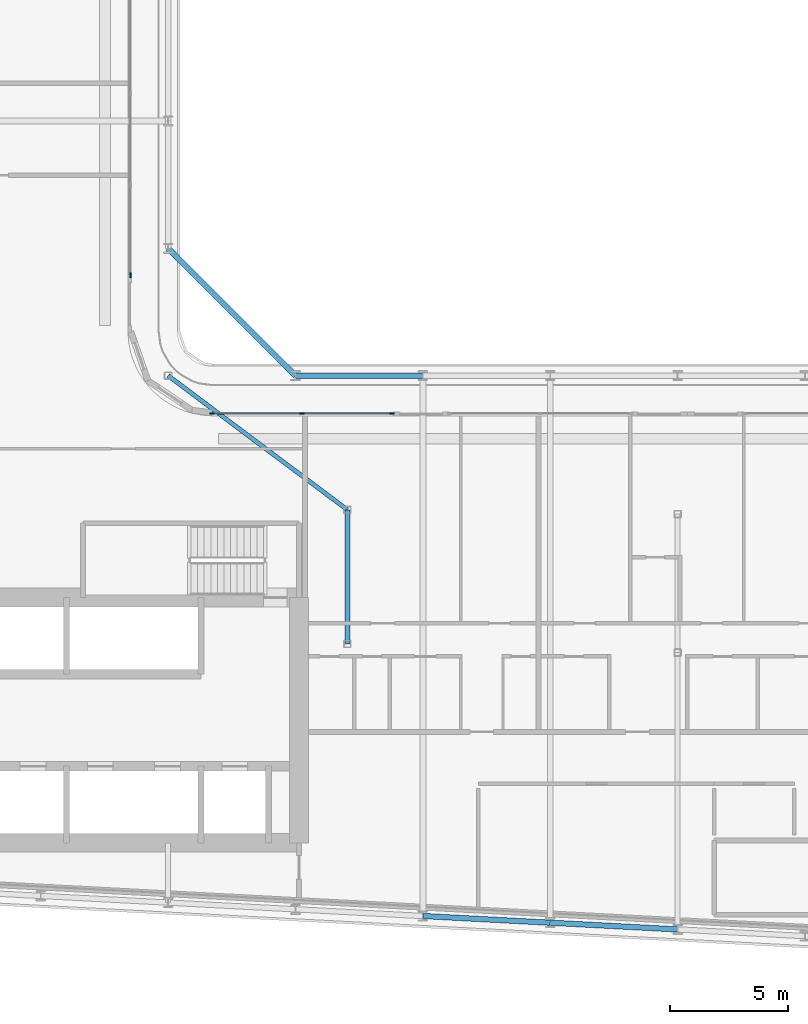
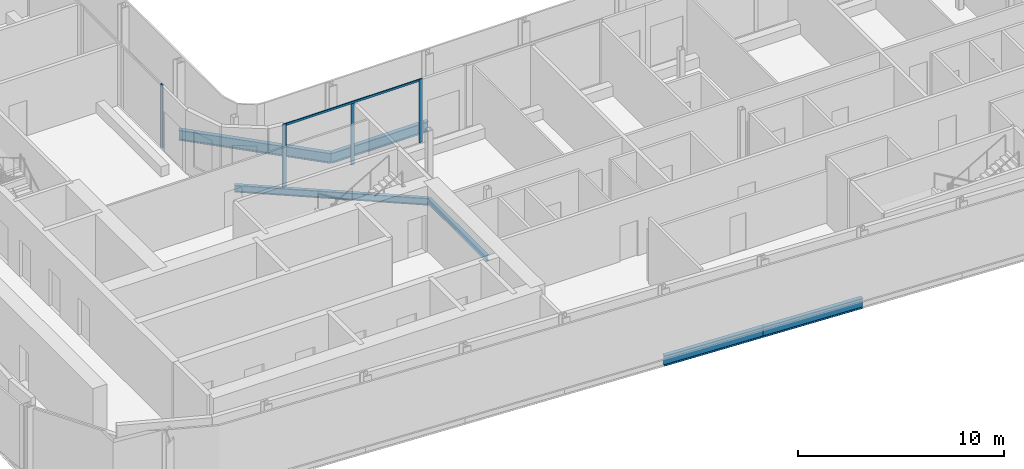
# One storey, part 6 of 29: 6 beams, 5 members, 2 elements without a shape of their own.
"""IFC4 building model written with IfcOpenShell, lengths in metres."""

from ifc_helpers import new_model, si_unit, direction, frame, origin, origin_2d, place, context, subcontext, project, spatial, rectangle, i_section, extrude, material, layer, layer_set, material_profile, profile_set, type_object, element, aggregate, save


model = new_model("IFC4")

# Units and contexts
model_context = context("Model", 3, precision=1e-05, world=origin(), true_north=direction((0.0, 1.0)))
body_context = subcontext(model_context, "Body", "Model", "MODEL_VIEW")
ifc_project = project(units=[si_unit("LENGTHUNIT", "METRE"), si_unit("AREAUNIT", "SQUARE_METRE"), si_unit("VOLUMEUNIT", "CUBIC_METRE"), si_unit("PLANEANGLEUNIT", "RADIAN"), si_unit("MASSUNIT", "GRAM", prefix="KILO")], contexts=[model_context])

# Site, building, storey
site_placement = place(None, origin())
site = spatial("IfcSite", under=ifc_project, at=site_placement, CompositionType="ELEMENT")
building_placement = place(site_placement, origin())
building = spatial("IfcBuilding", under=site, at=building_placement, Name="Kheshtan School and Residences Tower", CompositionType="ELEMENT")
storey_placement = place(building_placement, frame((0.0, 0.0, 176.0)))
storey = spatial("IfcBuildingStorey", under=building, at=storey_placement, Name="L41", CompositionType="ELEMENT", Elevation=176.0)

# Beams
ifc_material_1 = material(Name="Steel ASTM A992 Grade 50", Category="steel")
ifc_material_profile_1 = material_profile(ifc_material_1, i_section(OverallWidth=0.202880859375, OverallDepth=0.302978515625, WebThickness=0.007568359375, FlangeThickness=0.01318359375, FilletRadius=0.009033203125, at=origin_2d()), Name="W310x60")
ifc_profile_set_1 = profile_set([ifc_material_profile_1], Name="Steel ASTM A992 Grade 50")
beam_type_1 = type_object("IfcBeamType", Name="Beam FB1 W310x60 ASTM A992 Grade 50", PredefinedType="BEAM", material=ifc_profile_set_1)
beam_1_placement = place(storey_placement, frame((55.199951171875, 34.23193359375, -0.301513671875), z_axis=(0.0, 1.0, 0.0), x_axis=(-1.0, 0.0, 0.0)))
element("IfcBeam", 1, at=beam_1_placement, inside=storey, type_object=beam_type_1, Name="Floor beam IC", PredefinedType="BEAM", context=body_context, shape_type="SweptSolid", body=[
    extrude(i_section(OverallWidth=0.202880859375, OverallDepth=0.302978515625, WebThickness=0.007568359375, FlangeThickness=0.01318359375, FilletRadius=0.009033203125, at=origin_2d()), origin(), (0.0, 0.0, 1.0), 5.68408203125),
])
ifc_material_profile_2 = material_profile(ifc_material_1, i_section(OverallWidth=0.180908203125, OverallDepth=0.4169921875, WebThickness=0.010986328125, FlangeThickness=0.018310546875, FilletRadius=0.012451171875, at=origin_2d()), Name="W410x85")
ifc_profile_set_2 = profile_set([ifc_material_profile_2], Name="Steel ASTM A992 Grade 50")
beam_type_2 = type_object("IfcBeamType", Name="Beam FB3 W410x85 ASTM A992 Grade 50", PredefinedType="BEAM", material=ifc_profile_set_2)
beam_2_placement = place(storey_placement, frame((47.60009765625, 45.60009765625, -0.3583984375), z_axis=(0.800798828004, -0.598933416222, 0.0), x_axis=(0.598933416222, 0.800798828004, 0.0)))
element("IfcBeam", 2, at=beam_2_placement, inside=storey, type_object=beam_type_2, Name="Floor beam IC", PredefinedType="BEAM", context=body_context, shape_type="SweptSolid", body=[
    extrude(i_section(OverallWidth=0.180908203125, OverallDepth=0.4169921875, WebThickness=0.010986328125, FlangeThickness=0.018310546875, FilletRadius=0.012451171875, at=origin_2d()), origin(), (0.0, 0.0, 1.0), 9.490234375),
])
ifc_material_profile_3 = material_profile(ifc_material_1, i_section(OverallWidth=0.22802734375, OverallDepth=0.60302734375, WebThickness=0.010498046875, FlangeThickness=0.014892578125, FilletRadius=0.013427734375, at=origin_2d()), Name="W610x101")
ifc_profile_set_3 = profile_set([ifc_material_profile_3], Name="Steel ASTM A992 Grade 50")
beam_type_3 = type_object("IfcBeamType", Name="Beam SP2 W610x101 ASTM A992 Grade 50", PredefinedType="BEAM", material=ifc_profile_set_3)
beam_3_placement = place(storey_placement, frame((47.60009765625, 51.0, -0.451416015625), z_axis=(0.707106781187, -0.707106781187, 0.0), x_axis=(0.707106781187, 0.707106781187, 0.0)))
element("IfcBeam", 3, at=beam_3_placement, inside=storey, type_object=beam_type_3, Name="Spandrel beam C079-C061", PredefinedType="BEAM", context=body_context, shape_type="SweptSolid", body=[
    extrude(i_section(OverallWidth=0.22802734375, OverallDepth=0.60302734375, WebThickness=0.010498046875, FlangeThickness=0.014892578125, FilletRadius=0.013427734375, at=origin_2d()), origin(), (0.0, 0.0, 1.0), 7.63671875),
])
beam_4_placement = place(storey_placement, frame((53.0, 45.60009765625, -0.451416015625), z_axis=(1.0, 0.0, 0.0), x_axis=(0.0, 1.0, 0.0)))
element("IfcBeam", 4, at=beam_4_placement, inside=storey, type_object=beam_type_3, Name="Spandrel beam C061-C062", PredefinedType="BEAM", context=body_context, shape_type="SweptSolid", body=[
    extrude(i_section(OverallWidth=0.22802734375, OverallDepth=0.60302734375, WebThickness=0.010498046875, FlangeThickness=0.014892578125, FilletRadius=0.013427734375, at=origin_2d()), origin(), (0.0, 0.0, 1.0), 5.39990234375),
])
beam_5_placement = place(storey_placement, frame((69.199951171875, 22.126953125, -0.451416015625), z_axis=(-0.998620447272, 0.05250906864, 0.0), x_axis=(-0.05250906864, -0.998620447272, 0.0)))
element("IfcBeam", 5, at=beam_5_placement, inside=storey, type_object=beam_type_3, Name="Spandrel beam C014-C016", PredefinedType="BEAM", context=body_context, shape_type="SweptSolid", body=[
    extrude(i_section(OverallWidth=0.22802734375, OverallDepth=0.60302734375, WebThickness=0.010498046875, FlangeThickness=0.014892578125, FilletRadius=0.013427734375, at=origin_2d()), origin(), (0.0, 0.0, 1.0), 5.407470703125),
])
beam_6_placement = place(storey_placement, frame((63.800048828125, 22.410888671875, -0.451416015625), z_axis=(-0.998618203458, 0.052551724256, 0.0), x_axis=(-0.052551724256, -0.998618203458, 0.0)))
element("IfcBeam", 6, at=beam_6_placement, inside=storey, type_object=beam_type_3, Name="Spandrel beam C016-C018", PredefinedType="BEAM", context=body_context, shape_type="SweptSolid", body=[
    extrude(i_section(OverallWidth=0.22802734375, OverallDepth=0.60302734375, WebThickness=0.010498046875, FlangeThickness=0.014892578125, FilletRadius=0.013427734375, at=origin_2d()), origin(), (0.0, 0.0, 1.0), 5.40771484375),
])

# Curtain wall, member
ifc_material_2 = material(Name="Clear low-e glass in thermally broken aluminium frame", Category="aluminium")
ifc_layer = layer(ifc_material_2, 0.199951171875)
ifc_layer_set = layer_set([ifc_layer], Name="Curtain wall CW-L")
curtain_wall_type = type_object("IfcCurtainWallType", Name="Curtain wall CW-L", PredefinedType="NOTDEFINED", material=ifc_layer_set)
curtain_wall_1_placement = place(storey_placement, origin())
curtain_wall_1 = element("IfcCurtainWall", 7, at=curtain_wall_1_placement, inside=storey, type_object=curtain_wall_type, Name="Curtain wall CWL8", PredefinedType="NOTDEFINED")
ifc_material_3 = material(Name="Thermally broken aluminium, dark bronze anodised", Category="aluminium")
ifc_material_profile_4 = material_profile(ifc_material_3, rectangle(XDim=0.06005859375, YDim=0.199951171875, at=origin_2d()), Name="CW-L mullion 60x200")
ifc_profile_set_4 = profile_set([ifc_material_profile_4], Name="Thermally broken aluminium, dark bronze anodised")
member_type_1 = type_object("IfcMemberType", Name="CW-L mullion 60x200", PredefinedType="MULLION", material=ifc_profile_set_4)
member_1_placement = place(storey_placement, frame((46.0, 49.860107421875, 0.0), z_axis=(0.0, 0.0, 1.0), x_axis=(1.0, 0.0, 0.0)))
member_1 = element("IfcMember", 8, at=member_1_placement, type_object=member_type_1, Name="CWL8 mullion 3", PredefinedType="MULLION", context=body_context, shape_type="SweptSolid", body=[
    extrude(rectangle(XDim=0.06005859375, YDim=0.199951171875, at=origin_2d()), origin(), (0.0, 0.0, 1.0), 3.75),
])
aggregate(curtain_wall_1, [member_1])

# Curtain wall, members
curtain_wall_2_placement = place(storey_placement, origin())
curtain_wall_2 = element("IfcCurtainWall", 9, at=curtain_wall_2_placement, inside=storey, type_object=curtain_wall_type, Name="Curtain wall CWL12j", PredefinedType="NOTDEFINED")
member_2_placement = place(storey_placement, frame((49.4599609375, 44.0, 0.0), z_axis=(0.0, 0.0, 1.0), x_axis=(0.0, 1.0, 0.0)))
member_2 = element("IfcMember", 10, at=member_2_placement, type_object=member_type_1, Name="CWL12j mullion 1", PredefinedType="MULLION", context=body_context, shape_type="SweptSolid", body=[
    extrude(rectangle(XDim=0.06005859375, YDim=0.199951171875, at=origin_2d()), origin(), (0.0, 0.0, 1.0), 3.75),
])
member_3_placement = place(storey_placement, frame((53.277099609375, 44.0, 0.0), z_axis=(0.0, 0.0, 1.0), x_axis=(0.0, 1.0, 0.0)))
member_3 = element("IfcMember", 11, at=member_3_placement, type_object=member_type_1, Name="CWL12j mullion 2", PredefinedType="MULLION", context=body_context, shape_type="SweptSolid", body=[
    extrude(rectangle(XDim=0.06005859375, YDim=0.199951171875, at=origin_2d()), origin(), (0.0, 0.0, 1.0), 3.6298828125),
])
member_4_placement = place(storey_placement, frame((57.093994140625, 44.0, 0.0), z_axis=(0.0, 0.0, 1.0), x_axis=(0.0, 1.0, 0.0)))
member_4 = element("IfcMember", 12, at=member_4_placement, type_object=member_type_1, Name="CWL12j mullion 3", PredefinedType="MULLION", context=body_context, shape_type="SweptSolid", body=[
    extrude(rectangle(XDim=0.06005859375, YDim=0.199951171875, at=origin_2d()), origin(), (0.0, 0.0, 1.0), 3.75),
])
ifc_material_profile_5 = material_profile(ifc_material_3, rectangle(XDim=0.06005859375, YDim=0.1201171875, at=origin_2d()), Name="CW-L transom 60x120")
ifc_profile_set_5 = profile_set([ifc_material_profile_5], Name="Thermally broken aluminium, dark bronze anodised")
member_type_2 = type_object("IfcMemberType", Name="CW-L transom 60x120", PredefinedType="USERDEFINED", material=ifc_profile_set_5)
member_5_placement = place(storey_placement, frame((49.489990234375, 44.0, 3.68994140625), z_axis=(1.0, 0.0, 0.0), x_axis=(0.0, 1.0, 0.0)))
member_5 = element("IfcMember", 13, at=member_5_placement, type_object=member_type_2, Name="CWL12j transom 1", ObjectType="TRANSOM", PredefinedType="USERDEFINED", context=body_context, shape_type="SweptSolid", body=[
    extrude(rectangle(XDim=0.06005859375, YDim=0.1201171875, at=origin_2d()), origin(), (0.0, 0.0, 1.0), 7.573974609375),
])
aggregate(curtain_wall_2, [member_2, member_3, member_4, member_5])

save(model, "model.ifc")
